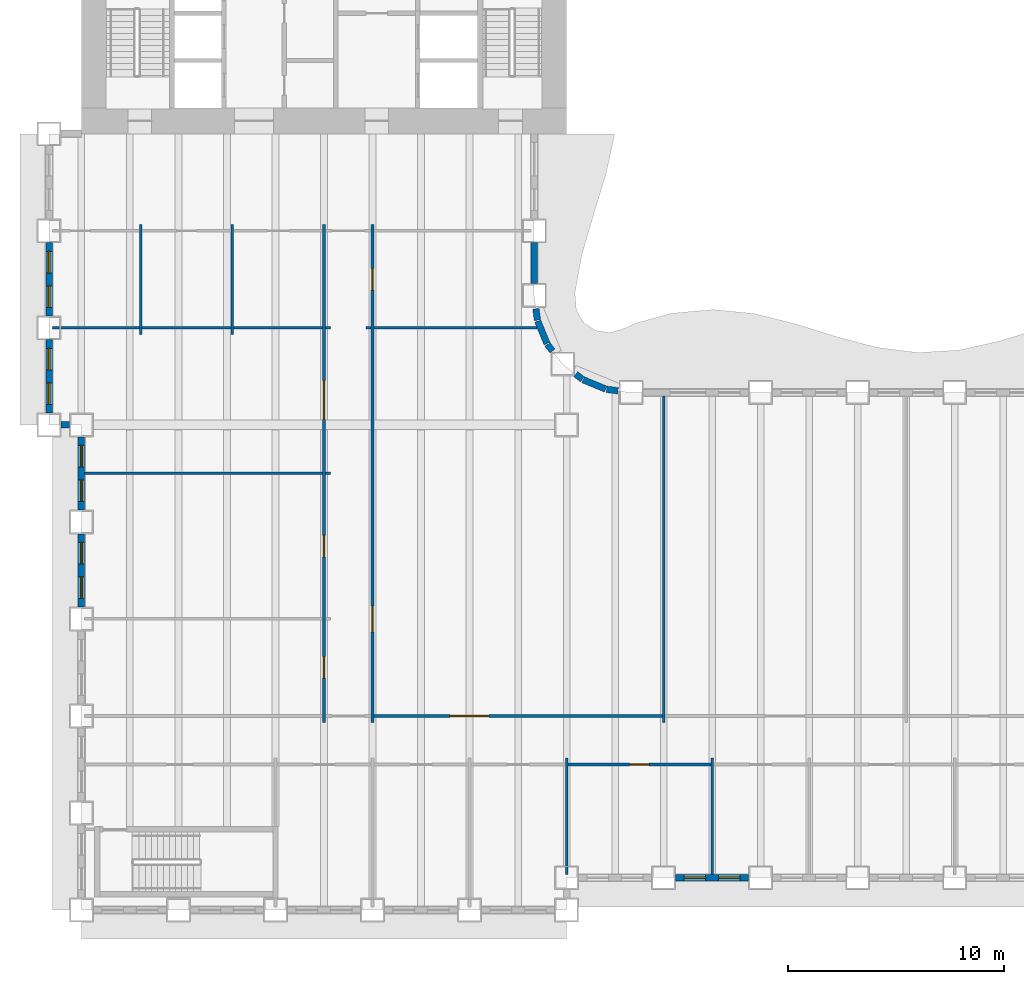
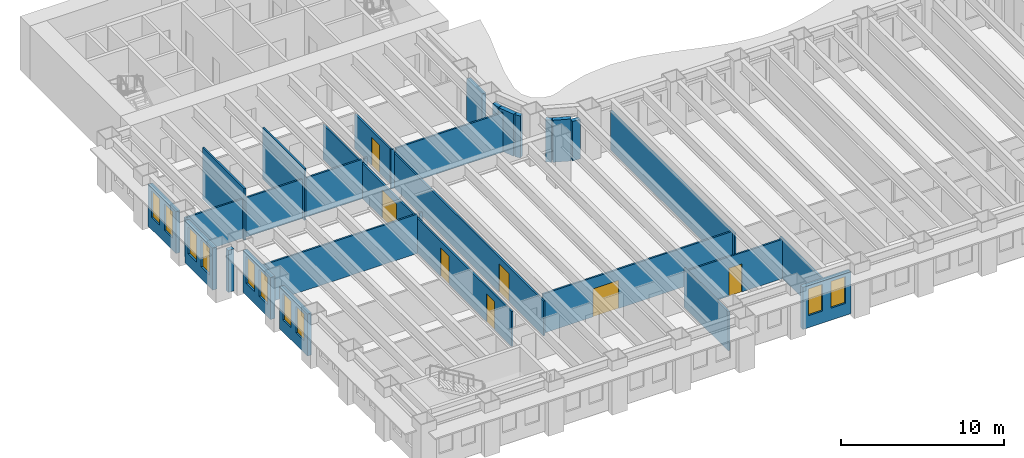
# One storey, part 4 of 17: 30 walls, 10 windows, 7 doors, 17 openings.
"""IFC4 building model written with IfcOpenShell, lengths in metres."""

from ifc_helpers import new_model, si_unit, direction, frame, frame_2d, origin, place, context, subcontext, project, spatial, rectangle, extrude, material, layer, layer_set, type_object, element, fill, save


model = new_model("IFC4")

# Units and contexts
model_context = context("Model", 3, precision=1e-05, world=origin(), true_north=direction((0.0, 1.0)))
body_context = subcontext(model_context, "Body", "Model", "MODEL_VIEW")
ifc_project = project(units=[si_unit("LENGTHUNIT", "METRE"), si_unit("AREAUNIT", "SQUARE_METRE"), si_unit("VOLUMEUNIT", "CUBIC_METRE"), si_unit("PLANEANGLEUNIT", "RADIAN"), si_unit("MASSUNIT", "GRAM", prefix="KILO")], contexts=[model_context])

# Site, building, storey
site_placement = place(None, origin())
site = spatial("IfcSite", under=ifc_project, at=site_placement, CompositionType="ELEMENT")
building_placement = place(site_placement, origin())
building = spatial("IfcBuilding", under=site, at=building_placement, Name="Sennacour Bend Tower", CompositionType="ELEMENT")
storey_placement = place(building_placement, frame((0.0, 0.0, 49.0)))
storey = spatial("IfcBuildingStorey", under=building, at=storey_placement, Name="L10", CompositionType="ELEMENT", Elevation=49.0)

# Walls
ifc_material_1 = material(Name="Plasterboard partition on steel studs", Category="steel")
ifc_layer_1 = layer(ifc_material_1, 0.1201171875, Name="Plasterboard partition on steel studs", Category="steel")
ifc_layer_set_1 = layer_set([ifc_layer_1], Name="Plasterboard partition on steel studs")
wall_type_1 = type_object("IfcWallType", Name="Partition 120", PredefinedType="PARTITIONING", material=ifc_layer_set_1)
for number, where, z_axis, x_axis, name in (
    (1, (2.75, 26.699951171875, 0.0), (0.0, 0.0, 1.0), (0.0, 1.0, 0.0), "P-L10-W005a"),
    (2, (7.0, 26.699951171875, 0.0), (0.0, 0.0, 1.0), (0.0, 1.0, 0.0), "P-L10-W009a"),
):
    element("IfcWall", number, at=place(storey_placement, frame(where, z_axis=z_axis, x_axis=x_axis)), inside=storey, type_object=wall_type_1, Name=name, PredefinedType="PARTITIONING", context=body_context, shape_type="SweptSolid", body=[
        extrude(rectangle(XDim=5.10009765625, YDim=0.1201171875, at=frame_2d((2.550048828125, 0.0))), origin(), (0.0, 0.0, 1.0), 3.85009765625),
    ])

# Wall, openings, doors
wall_1_placement = place(storey_placement, frame((11.25, 8.699951171875, 0.0), z_axis=(0.0, 0.0, 1.0), x_axis=(0.0, 1.0, 0.0)))
wall_1 = element("IfcWall", 3, at=wall_1_placement, inside=storey, type_object=wall_type_1, Name="P-L10-W014a", PredefinedType="PARTITIONING", context=body_context, shape_type="SweptSolid", body=[
    extrude(rectangle(XDim=23.10009765625, YDim=0.1201171875, at=frame_2d((11.550048828125, 0.0))), origin(), (0.0, 0.0, 1.0), 2.60009765625),
])
opening_1_placement = place(wall_1_placement, frame((2.050048828125, 0.0, 0.0)))
opening_1 = element("IfcOpeningElement", 4, at=opening_1_placement, cuts=wall_1, Name="Opening OD2", PredefinedType="OPENING", context=body_context, shape_type="SweptSolid", body=[
    extrude(rectangle(XDim=1.0, YDim=2.10009765625, at=frame_2d((0.5, 1.050048828125))), frame((0.0, 0.070068359375, 0.0), z_axis=(0.0, -1.0, 0.0), x_axis=(1.0, 0.0, 0.0)), (0.0, 0.0, 1.0), 0.14013671875),
])
opening_2_placement = place(wall_1_placement, frame((7.675048828125, 0.0, 0.0)))
opening_2 = element("IfcOpeningElement", 5, at=opening_2_placement, cuts=wall_1, Name="Opening OD2", PredefinedType="OPENING", context=body_context, shape_type="SweptSolid", body=[
    extrude(rectangle(XDim=1.0, YDim=2.10009765625, at=frame_2d((0.5, 1.050048828125))), frame((0.0, 0.070068359375, 0.0), z_axis=(0.0, -1.0, 0.0), x_axis=(1.0, 0.0, 0.0)), (0.0, 0.0, 1.0), 0.14013671875),
])
opening_3_placement = place(wall_1_placement, frame((14.054931640625, 0.0, 0.0)))
opening_3 = element("IfcOpeningElement", 6, at=opening_3_placement, cuts=wall_1, Name="Opening OD3", PredefinedType="OPENING", context=body_context, shape_type="SweptSolid", body=[
    extrude(rectangle(XDim=1.800048828125, YDim=2.10009765625, at=frame_2d((0.89990234375, 1.050048828125))), frame((0.0, 0.070068359375, 0.0), z_axis=(0.0, -1.0, 0.0), x_axis=(1.0, 0.0, 0.0)), (0.0, 0.0, 1.0), 0.14013671875),
])
ifc_material_2 = material(Name="Timber", Category="wood")
door_type_1 = type_object("IfcDoorType", Name="DR-OFFICE-1000", OperationType="NOTDEFINED", PredefinedType="DOOR", material=ifc_material_2)
door_1_placement = place(opening_1_placement, origin())
door_1 = element("IfcDoor", 7, at=door_1_placement, inside=storey, type_object=door_type_1, Name="Door", OperationType="SINGLE_SWING_LEFT", OverallHeight=2.10009765625, OverallWidth=1.0, PredefinedType="DOOR", context=body_context, shape_type="SweptSolid", body=[
    extrude(rectangle(XDim=1.0, YDim=2.10009765625, at=frame_2d((0.5, 1.050048828125))), frame((0.0, 0.02490234375, 0.0), z_axis=(0.0, -1.0, 0.0), x_axis=(1.0, 0.0, 0.0)), (0.0, 0.0, 1.0), 0.050048828125),
])
fill(opening_1, door_1)
door_2_placement = place(opening_2_placement, origin())
door_2 = element("IfcDoor", 8, at=door_2_placement, inside=storey, type_object=door_type_1, Name="Door", OperationType="SINGLE_SWING_LEFT", OverallHeight=2.10009765625, OverallWidth=1.0, PredefinedType="DOOR", context=body_context, shape_type="SweptSolid", body=[
    extrude(rectangle(XDim=1.0, YDim=2.10009765625, at=frame_2d((0.5, 1.050048828125))), frame((0.0, 0.02490234375, 0.0), z_axis=(0.0, -1.0, 0.0), x_axis=(1.0, 0.0, 0.0)), (0.0, 0.0, 1.0), 0.050048828125),
])
fill(opening_2, door_2)
door_type_2 = type_object("IfcDoorType", Name="DR-OFFICE-1800", OperationType="NOTDEFINED", PredefinedType="DOOR", material=ifc_material_2)
door_3_placement = place(opening_3_placement, origin())
door_3 = element("IfcDoor", 9, at=door_3_placement, inside=storey, type_object=door_type_2, Name="Door", OperationType="DOUBLE_DOOR_SINGLE_SWING", OverallHeight=2.10009765625, OverallWidth=1.800048828125, PredefinedType="DOOR", context=body_context, shape_type="SweptSolid", body=[
    extrude(rectangle(XDim=1.800048828125, YDim=2.10009765625, at=frame_2d((0.89990234375, 1.050048828125))), frame((0.0, 0.02490234375, 0.0), z_axis=(0.0, -1.0, 0.0), x_axis=(1.0, 0.0, 0.0)), (0.0, 0.0, 1.0), 0.050048828125),
])
fill(opening_3, door_3)

wall_2_placement = place(storey_placement, frame((13.5, 8.699951171875, 0.0), z_axis=(0.0, 0.0, 1.0), x_axis=(0.0, 1.0, 0.0)))
wall_2 = element("IfcWall", 10, at=wall_2_placement, inside=storey, type_object=wall_type_1, Name="P-L10-W017a", PredefinedType="PARTITIONING", context=body_context, shape_type="SweptSolid", body=[
    extrude(rectangle(XDim=23.10009765625, YDim=0.1201171875, at=frame_2d((11.550048828125, 0.0))), origin(), (0.0, 0.0, 1.0), 2.60009765625),
])
opening_4_placement = place(wall_2_placement, frame((20.050048828125, 0.0, 0.0)))
opening_4 = element("IfcOpeningElement", 11, at=opening_4_placement, cuts=wall_2, Name="Opening OD2", PredefinedType="OPENING", context=body_context, shape_type="SweptSolid", body=[
    extrude(rectangle(XDim=1.0, YDim=2.10009765625, at=frame_2d((0.5, 1.050048828125))), frame((0.0, 0.070068359375, 0.0), z_axis=(0.0, -1.0, 0.0), x_axis=(1.0, 0.0, 0.0)), (0.0, 0.0, 1.0), 0.14013671875),
])
opening_5_placement = place(wall_2_placement, frame((4.199951171875, 0.0, 0.0)))
opening_5 = element("IfcOpeningElement", 12, at=opening_5_placement, cuts=wall_2, Name="Opening MD", PredefinedType="OPENING", context=body_context, shape_type="SweptSolid", body=[
    extrude(rectangle(XDim=1.199951171875, YDim=2.10009765625, at=frame_2d((0.60009765625, 1.050048828125))), frame((0.0, 0.070068359375, 0.0), z_axis=(0.0, -1.0, 0.0), x_axis=(1.0, 0.0, 0.0)), (0.0, 0.0, 1.0), 0.14013671875),
])
door_type_3 = type_object("IfcDoorType", Name="DR-MEETING-1200", OperationType="NOTDEFINED", PredefinedType="DOOR", material=ifc_material_2)
door_4_placement = place(opening_5_placement, origin())
door_4 = element("IfcDoor", 13, at=door_4_placement, inside=storey, type_object=door_type_3, Name="Door", OperationType="SINGLE_SWING_LEFT", OverallHeight=2.10009765625, OverallWidth=1.199951171875, PredefinedType="DOOR", context=body_context, shape_type="SweptSolid", body=[
    extrude(rectangle(XDim=1.199951171875, YDim=2.10009765625, at=frame_2d((0.60009765625, 1.050048828125))), frame((0.0, 0.02490234375, 0.0), z_axis=(0.0, -1.0, 0.0), x_axis=(1.0, 0.0, 0.0)), (0.0, 0.0, 1.0), 0.050048828125),
])
fill(opening_5, door_4)
door_5_placement = place(opening_4_placement, origin())
door_5 = element("IfcDoor", 14, at=door_5_placement, inside=storey, type_object=door_type_1, Name="Door", OperationType="SINGLE_SWING_RIGHT", OverallHeight=2.10009765625, OverallWidth=1.0, PredefinedType="DOOR", context=body_context, shape_type="SweptSolid", body=[
    extrude(rectangle(XDim=1.0, YDim=2.10009765625, at=frame_2d((0.5, 1.050048828125))), frame((0.0, 0.02490234375, 0.0), z_axis=(0.0, -1.0, 0.0), x_axis=(1.0, 0.0, 0.0)), (0.0, 0.0, 1.0), 0.050048828125),
])
fill(opening_4, door_5)

# Walls
wall_3_placement = place(storey_placement, frame((22.5, 1.64990234375, 0.0), z_axis=(0.0, 0.0, 1.0), x_axis=(0.0, 1.0, 0.0)))
element("IfcWall", 15, at=wall_3_placement, inside=storey, type_object=wall_type_1, Name="P-L10-W026a", PredefinedType="PARTITIONING", context=body_context, shape_type="SweptSolid", body=[
    extrude(rectangle(XDim=5.400146484375, YDim=0.1201171875, at=frame_2d((2.7001953125, 0.0))), origin(), (0.0, 0.0, 1.0), 2.93798828125),
])
wall_4_placement = place(storey_placement, frame((27.0, 8.699951171875, 0.0), z_axis=(0.0, 0.0, 1.0), x_axis=(0.0, 1.0, 0.0)))
element("IfcWall", 16, at=wall_4_placement, inside=storey, type_object=wall_type_1, Name="P-L10-W027a", PredefinedType="PARTITIONING", context=body_context, shape_type="SweptSolid", body=[
    extrude(rectangle(XDim=15.150146484375, YDim=0.1201171875, at=frame_2d((7.5751953125, 0.0))), origin(), (0.0, 0.0, 1.0), 2.93798828125),
])
wall_5_placement = place(storey_placement, frame((29.25, 1.64990234375, 0.0), z_axis=(0.0, 0.0, 1.0), x_axis=(0.0, 1.0, 0.0)))
element("IfcWall", 17, at=wall_5_placement, inside=storey, type_object=wall_type_1, Name="P-L10-W028a", PredefinedType="PARTITIONING", context=body_context, shape_type="SweptSolid", body=[
    extrude(rectangle(XDim=5.400146484375, YDim=0.1201171875, at=frame_2d((2.7001953125, 0.0))), origin(), (0.0, 0.0, 1.0), 2.93798828125),
])

# Wall, opening, door
wall_6_placement = place(storey_placement, frame((13.56005859375, 9.0, 0.0), z_axis=(0.0, 0.0, 1.0), x_axis=(1.0, 0.0, 0.0)))
wall_6 = element("IfcWall", 18, at=wall_6_placement, inside=storey, type_object=wall_type_1, Name="P-L10-W062ac", PredefinedType="PARTITIONING", context=body_context, shape_type="SweptSolid", body=[
    extrude(rectangle(XDim=13.3798828125, YDim=0.1201171875, at=frame_2d((6.68994140625, 0.0))), origin(), (0.0, 0.0, 1.0), 2.93798828125),
])
opening_6_placement = place(wall_6_placement, frame((3.539794921875, 0.0, 0.0)))
opening_6 = element("IfcOpeningElement", 19, at=opening_6_placement, cuts=wall_6, Name="Opening MD3", PredefinedType="OPENING", context=body_context, shape_type="SweptSolid", body=[
    extrude(rectangle(XDim=1.800048828125, YDim=2.10009765625, at=frame_2d((0.89990234375, 1.050048828125))), frame((0.0, 0.070068359375, 0.0), z_axis=(0.0, -1.0, 0.0), x_axis=(1.0, 0.0, 0.0)), (0.0, 0.0, 1.0), 0.14013671875),
])
door_type_4 = type_object("IfcDoorType", Name="DR-MEETING-1800", OperationType="NOTDEFINED", PredefinedType="DOOR", material=ifc_material_2)
door_6_placement = place(opening_6_placement, origin())
door_6 = element("IfcDoor", 20, at=door_6_placement, inside=storey, type_object=door_type_4, Name="Door", OperationType="DOUBLE_DOOR_SINGLE_SWING", OverallHeight=2.10009765625, OverallWidth=1.800048828125, PredefinedType="DOOR", context=body_context, shape_type="SweptSolid", body=[
    extrude(rectangle(XDim=1.800048828125, YDim=2.10009765625, at=frame_2d((0.89990234375, 1.050048828125))), frame((0.0, 0.02490234375, 0.0), z_axis=(0.0, -1.0, 0.0), x_axis=(1.0, 0.0, 0.0)), (0.0, 0.0, 1.0), 0.050048828125),
])
fill(opening_6, door_6)

# Walls
wall_7_placement = place(storey_placement, frame((0.14990234375, 20.25, 0.0), z_axis=(0.0, 0.0, 1.0), x_axis=(1.0, 0.0, 0.0)))
element("IfcWall", 21, at=wall_7_placement, inside=storey, type_object=wall_type_1, Name="P-L10-W072aa", PredefinedType="PARTITIONING", context=body_context, shape_type="SweptSolid", body=[
    extrude(rectangle(XDim=11.0400390625, YDim=0.1201171875, at=frame_2d((5.52001953125, 0.0))), origin(), (0.0, 0.0, 1.0), 2.93798828125),
])
wall_8_placement = place(storey_placement, frame((11.31005859375, 20.25, 0.0), z_axis=(0.0, 0.0, 1.0), x_axis=(1.0, 0.0, 0.0)))
element("IfcWall", 22, at=wall_8_placement, inside=storey, type_object=wall_type_1, Name="P-L10-W072ab", PredefinedType="PARTITIONING", context=body_context, shape_type="SweptSolid", body=[
    extrude(rectangle(XDim=0.239990234375, YDim=0.1201171875, at=frame_2d((0.1201171875, 0.0))), origin(), (0.0, 0.0, 1.0), 2.93798828125),
])
wall_9_placement = place(storey_placement, frame((-1.35009765625, 27.0, 0.0), z_axis=(0.0, 0.0, 1.0), x_axis=(1.0, 0.0, 0.0)))
element("IfcWall", 23, at=wall_9_placement, inside=storey, type_object=wall_type_1, Name="P-L10-W074aa", PredefinedType="PARTITIONING", context=body_context, shape_type="SweptSolid", body=[
    extrude(rectangle(XDim=4.0400390625, YDim=0.1201171875, at=frame_2d((2.02001953125, 0.0))), origin(), (0.0, 0.0, 1.0), 2.93798828125),
])
for number, where, z_axis, x_axis, name in (
    (24, (2.81005859375, 27.0, 0.0), (0.0, 0.0, 1.0), (1.0, 0.0, 0.0), "P-L10-W074ab"),
    (25, (7.06005859375, 27.0, 0.0), (0.0, 0.0, 1.0), (1.0, 0.0, 0.0), "P-L10-W074ac"),
):
    element("IfcWall", number, at=place(storey_placement, frame(where, z_axis=z_axis, x_axis=x_axis)), inside=storey, type_object=wall_type_1, Name=name, PredefinedType="PARTITIONING", context=body_context, shape_type="SweptSolid", body=[
        extrude(rectangle(XDim=4.1298828125, YDim=0.1201171875, at=frame_2d((2.06494140625, 0.0))), origin(), (0.0, 0.0, 1.0), 2.93798828125),
    ])
for number, where, z_axis, x_axis, name in (
    (26, (11.31005859375, 27.0, 0.0), (0.0, 0.0, 1.0), (1.0, 0.0, 0.0), "P-L10-W074ad"),
    (27, (13.199951171875, 27.0, 0.0), (0.0, 0.0, 1.0), (1.0, 0.0, 0.0), "P-L10-W075aa"),
):
    element("IfcWall", number, at=place(storey_placement, frame(where, z_axis=z_axis, x_axis=x_axis)), inside=storey, type_object=wall_type_1, Name=name, PredefinedType="PARTITIONING", context=body_context, shape_type="SweptSolid", body=[
        extrude(rectangle(XDim=0.239990234375, YDim=0.1201171875, at=frame_2d((0.1201171875, 0.0))), origin(), (0.0, 0.0, 1.0), 2.93798828125),
    ])
wall_10_placement = place(storey_placement, frame((13.56005859375, 27.0, 0.0), z_axis=(0.0, 0.0, 1.0), x_axis=(1.0, 0.0, 0.0)))
element("IfcWall", 28, at=wall_10_placement, inside=storey, type_object=wall_type_1, Name="P-L10-W075ab", PredefinedType="PARTITIONING", context=body_context, shape_type="SweptSolid", body=[
    extrude(rectangle(XDim=7.56982421875, YDim=0.1201171875, at=frame_2d((3.784912109375, 0.0))), origin(), (0.0, 0.0, 1.0), 2.93798828125),
])

# Wall, opening, door
ifc_layer_2 = layer(ifc_material_1, 0.1201171875, Name="Plasterboard partition on steel studs", Category="steel")
ifc_layer_set_2 = layer_set([ifc_layer_2], Name="Plasterboard partition on steel studs")
wall_type_2 = type_object("IfcWallType", Name="Partition 120 EI 60", PredefinedType="PARTITIONING", material=ifc_layer_set_2)
wall_11_placement = place(storey_placement, frame((22.56005859375, 6.75, 0.0), z_axis=(0.0, 0.0, 1.0), x_axis=(1.0, 0.0, 0.0)))
wall_11 = element("IfcWall", 29, at=wall_11_placement, inside=storey, type_object=wall_type_2, Name="P-L10-W061ae", PredefinedType="PARTITIONING", context=body_context, shape_type="SweptSolid", body=[
    extrude(rectangle(XDim=6.6298828125, YDim=0.1201171875, at=frame_2d((3.31494140625, 0.0))), origin(), (0.0, 0.0, 1.0), 2.93798828125),
])
opening_7_placement = place(wall_11_placement, frame((2.864990234375, 0.0, 0.0)))
opening_7 = element("IfcOpeningElement", 30, at=opening_7_placement, cuts=wall_11, Name="Opening SV", PredefinedType="OPENING", context=body_context, shape_type="SweptSolid", body=[
    extrude(rectangle(XDim=0.89990234375, YDim=2.10009765625, at=frame_2d((0.449951171875, 1.050048828125))), frame((0.0, 0.070068359375, 0.0), z_axis=(0.0, -1.0, 0.0), x_axis=(1.0, 0.0, 0.0)), (0.0, 0.0, 1.0), 0.14013671875),
])
ifc_material_3 = material(Name="Painted steel", Category="steel")
door_type_5 = type_object("IfcDoorType", Name="DR-SERVICE-900", OperationType="NOTDEFINED", PredefinedType="DOOR", material=ifc_material_3)
door_7_placement = place(opening_7_placement, origin())
door_7 = element("IfcDoor", 31, at=door_7_placement, inside=storey, type_object=door_type_5, Name="Door", OperationType="SINGLE_SWING_LEFT", OverallHeight=2.10009765625, OverallWidth=0.89990234375, PredefinedType="DOOR", context=body_context, shape_type="SweptSolid", body=[
    extrude(rectangle(XDim=0.89990234375, YDim=2.10009765625, at=frame_2d((0.449951171875, 1.050048828125))), frame((0.0, 0.02490234375, 0.0), z_axis=(0.0, -1.0, 0.0), x_axis=(1.0, 0.0, 0.0)), (0.0, 0.0, 1.0), 0.050048828125),
])
fill(opening_7, door_7)

# Wall, openings, windows
ifc_material_4 = material(Name="Warm limestone cladding", Category="masonry")
ifc_layer_3 = layer(ifc_material_4, 0.050048828125, Name="Warm limestone cladding", Category="masonry")
ifc_material_5 = material(Name="Precast concrete C40/50", Category="concrete")
ifc_layer_4 = layer(ifc_material_5, 0.25, Name="Precast concrete C40/50", Category="concrete")
ifc_layer_set_3 = layer_set([ifc_layer_3, ifc_layer_4], Name="Precast concrete C40/50 with limestone cladding")
wall_type_3 = type_object("IfcWallType", Name="STONE-CLAD PRECAST SPANDREL 300", PredefinedType="STANDARD", material=ifc_layer_set_3)
wall_12_placement = place(storey_placement, frame((27.550048828125, 1.5, 0.0), z_axis=(0.0, 0.0, 1.0), x_axis=(1.0, 0.0, 0.0)))
wall_12 = element("IfcWall", 32, at=wall_12_placement, inside=storey, type_object=wall_type_3, Name="Stone spandrel and pier wall L10 02.01", PredefinedType="STANDARD", context=body_context, shape_type="SweptSolid", body=[
    extrude(rectangle(XDim=3.39990234375, YDim=0.300048828125, at=frame_2d((1.699951171875, 0.0))), origin(), (0.0, 0.0, 1.0), 3.14404296875),
])
opening_8_placement = place(wall_12_placement, frame((0.39990234375, 0.0, 0.89990234375)))
opening_8 = element("IfcOpeningElement", 33, at=opening_8_placement, cuts=wall_12, Name="Opening W8", PredefinedType="OPENING", context=body_context, shape_type="SweptSolid", body=[
    extrude(rectangle(XDim=1.0, YDim=2.0, at=frame_2d((0.5, 1.0))), frame((0.0, 0.16015625, 0.0), z_axis=(0.0, -1.0, 0.0), x_axis=(1.0, 0.0, 0.0)), (0.0, 0.0, 1.0), 0.320068359375),
])
opening_9_placement = place(wall_12_placement, frame((2.0, 0.0, 0.89990234375)))
opening_9 = element("IfcOpeningElement", 34, at=opening_9_placement, cuts=wall_12, Name="Opening W8", PredefinedType="OPENING", context=body_context, shape_type="SweptSolid", body=[
    extrude(rectangle(XDim=1.0, YDim=2.0, at=frame_2d((0.5, 1.0))), frame((0.0, 0.16015625, 0.0), z_axis=(0.0, -1.0, 0.0), x_axis=(1.0, 0.0, 0.0)), (0.0, 0.0, 1.0), 0.320068359375),
])
ifc_material_6 = material(Name="Clear low-emissivity glass", Category="glass")
window_type = type_object("IfcWindowType", Name="WIN-RIBBON-1000x2000", PartitioningType="SINGLE_PANEL", PredefinedType="WINDOW", material=ifc_material_6)
window_1_placement = place(opening_8_placement, origin())
window_1 = element("IfcWindow", 35, at=window_1_placement, inside=storey, type_object=window_type, Name="Ribbon window L10 02.01.0", OverallHeight=2.0, OverallWidth=1.0, PartitioningType="SINGLE_PANEL", PredefinedType="WINDOW", context=body_context, shape_type="SweptSolid", body=[
    extrude(rectangle(XDim=1.0, YDim=2.0, at=frame_2d((0.5, 1.0))), frame((0.0, 0.030029296875, 0.0), z_axis=(0.0, -1.0, 0.0), x_axis=(1.0, 0.0, 0.0)), (0.0, 0.0, 1.0), 0.06005859375),
])
fill(opening_8, window_1)
window_2_placement = place(opening_9_placement, origin())
window_2 = element("IfcWindow", 36, at=window_2_placement, inside=storey, type_object=window_type, Name="Ribbon window L10 02.01.1", OverallHeight=2.0, OverallWidth=1.0, PartitioningType="SINGLE_PANEL", PredefinedType="WINDOW", context=body_context, shape_type="SweptSolid", body=[
    extrude(rectangle(XDim=1.0, YDim=2.0, at=frame_2d((0.5, 1.0))), frame((0.0, 0.030029296875, 0.0), z_axis=(0.0, -1.0, 0.0), x_axis=(1.0, 0.0, 0.0)), (0.0, 0.0, 1.0), 0.06005859375),
])
fill(opening_9, window_2)

# Walls
wall_13_placement = place(storey_placement, frame((24.88818359375, 24.08056640625, 0.0), z_axis=(0.0, 0.0, 1.0), x_axis=(-0.991417173479, 0.130736330569, 0.0)))
element("IfcWall", 37, at=wall_13_placement, inside=storey, type_object=wall_type_3, Name="Stone spandrel and pier wall L10 09.00", PredefinedType="STANDARD", context=body_context, shape_type="SweptSolid", body=[
    extrude(rectangle(XDim=0.537841796875, YDim=0.300048828125, at=frame_2d((0.26904296875, 0.0))), origin(), (0.0, 0.0, 1.0), 2.93798828125),
])
wall_14_placement = place(storey_placement, frame((24.317138671875, 24.160888671875, 0.0), z_axis=(0.0, 0.0, 1.0), x_axis=(-0.923914616768, 0.382598720491, 0.0)))
element("IfcWall", 38, at=wall_14_placement, inside=storey, type_object=wall_type_3, Name="Stone spandrel and pier wall L10 10.00", PredefinedType="STANDARD", context=body_context, shape_type="SweptSolid", body=[
    extrude(rectangle(XDim=1.13525390625, YDim=0.300048828125, at=frame_2d((0.567626953125, 0.0))), origin(), (0.0, 0.0, 1.0), 3.14404296875),
])
for number, where, z_axis, x_axis, name in (
    (39, (23.234375, 24.614990234375, 0.0), (0.0, 0.0, 1.0), (-0.79354495224, 0.60851163405, 0.0), "Stone spandrel and pier wall L10 11.00"),
    (40, (21.8486328125, 25.9296875, 0.0), (0.0, 0.0, 1.0), (-0.60851163405, 0.79354495224, 0.0), "Stone spandrel and pier wall L10 12.00"),
):
    element("IfcWall", number, at=place(storey_placement, frame(where, z_axis=z_axis, x_axis=x_axis)), inside=storey, type_object=wall_type_3, Name=name, PredefinedType="STANDARD", context=body_context, shape_type="SweptSolid", body=[
        extrude(rectangle(XDim=0.384033203125, YDim=0.300048828125, at=frame_2d((0.19189453125, 0.0))), origin(), (0.0, 0.0, 1.0), 3.14404296875),
    ])
wall_15_placement = place(storey_placement, frame((21.59521484375, 26.268310546875, 0.0), z_axis=(0.0, 0.0, 1.0), x_axis=(-0.382598720491, 0.923914616768, 0.0)))
element("IfcWall", 41, at=wall_15_placement, inside=storey, type_object=wall_type_3, Name="Stone spandrel and pier wall L10 13.00", PredefinedType="STANDARD", context=body_context, shape_type="SweptSolid", body=[
    extrude(rectangle(XDim=1.13525390625, YDim=0.300048828125, at=frame_2d((0.567626953125, 0.0))), origin(), (0.0, 0.0, 1.0), 3.14404296875),
])
wall_16_placement = place(storey_placement, frame((21.15087890625, 27.35498046875, 0.0), z_axis=(0.0, 0.0, 1.0), x_axis=(-0.130736330569, 0.991417173479, 0.0)))
element("IfcWall", 42, at=wall_16_placement, inside=storey, type_object=wall_type_3, Name="Stone spandrel and pier wall L10 14.00", PredefinedType="STANDARD", context=body_context, shape_type="SweptSolid", body=[
    extrude(rectangle(XDim=0.537841796875, YDim=0.300048828125, at=frame_2d((0.26904296875, 0.0))), origin(), (0.0, 0.0, 1.0), 3.14404296875),
])
wall_17_placement = place(storey_placement, frame((21.0, 29.050048828125, 0.0), z_axis=(0.0, 0.0, 1.0), x_axis=(0.0, 1.0, 0.0)))
element("IfcWall", 43, at=wall_17_placement, inside=storey, type_object=wall_type_3, Name="Stone spandrel and pier wall L10 15.00", PredefinedType="STANDARD", context=body_context, shape_type="SweptSolid", body=[
    extrude(rectangle(XDim=1.89990234375, YDim=0.300048828125, at=frame_2d((0.949951171875, 0.0))), origin(), (0.0, 0.0, 1.0), 3.14404296875),
])

# Wall, openings, windows
wall_18_placement = place(storey_placement, frame((-1.5, 30.949951171875, 0.0), z_axis=(0.0, 0.0, 1.0), x_axis=(0.0, -1.0, 0.0)))
wall_18 = element("IfcWall", 44, at=wall_18_placement, inside=storey, type_object=wall_type_3, Name="Stone spandrel and pier wall L10 21.01", PredefinedType="STANDARD", context=body_context, shape_type="SweptSolid", body=[
    extrude(rectangle(XDim=3.39990234375, YDim=0.300048828125, at=frame_2d((1.699951171875, 0.0))), origin(), (0.0, 0.0, 1.0), 3.14404296875),
])
opening_10_placement = place(wall_18_placement, frame((0.39990234375, 0.0, 0.89990234375)))
opening_10 = element("IfcOpeningElement", 45, at=opening_10_placement, cuts=wall_18, Name="Opening W8", PredefinedType="OPENING", context=body_context, shape_type="SweptSolid", body=[
    extrude(rectangle(XDim=1.0, YDim=2.0, at=frame_2d((0.5, 1.0))), frame((0.0, 0.16015625, 0.0), z_axis=(0.0, -1.0, 0.0), x_axis=(1.0, 0.0, 0.0)), (0.0, 0.0, 1.0), 0.320068359375),
])
opening_11_placement = place(wall_18_placement, frame((2.0, 0.0, 0.89990234375)))
opening_11 = element("IfcOpeningElement", 46, at=opening_11_placement, cuts=wall_18, Name="Opening W8", PredefinedType="OPENING", context=body_context, shape_type="SweptSolid", body=[
    extrude(rectangle(XDim=1.0, YDim=2.0, at=frame_2d((0.5, 1.0))), frame((0.0, 0.16015625, 0.0), z_axis=(0.0, -1.0, 0.0), x_axis=(1.0, 0.0, 0.0)), (0.0, 0.0, 1.0), 0.320068359375),
])
window_3_placement = place(opening_10_placement, origin())
window_3 = element("IfcWindow", 47, at=window_3_placement, inside=storey, type_object=window_type, Name="Ribbon window L10 21.01.0", OverallHeight=2.0, OverallWidth=1.0, PartitioningType="SINGLE_PANEL", PredefinedType="WINDOW", context=body_context, shape_type="SweptSolid", body=[
    extrude(rectangle(XDim=1.0, YDim=2.0, at=frame_2d((0.5, 1.0))), frame((0.0, 0.030029296875, 0.0), z_axis=(0.0, -1.0, 0.0), x_axis=(1.0, 0.0, 0.0)), (0.0, 0.0, 1.0), 0.06005859375),
])
fill(opening_10, window_3)
window_4_placement = place(opening_11_placement, origin())
window_4 = element("IfcWindow", 48, at=window_4_placement, inside=storey, type_object=window_type, Name="Ribbon window L10 21.01.1", OverallHeight=2.0, OverallWidth=1.0, PartitioningType="SINGLE_PANEL", PredefinedType="WINDOW", context=body_context, shape_type="SweptSolid", body=[
    extrude(rectangle(XDim=1.0, YDim=2.0, at=frame_2d((0.5, 1.0))), frame((0.0, 0.030029296875, 0.0), z_axis=(0.0, -1.0, 0.0), x_axis=(1.0, 0.0, 0.0)), (0.0, 0.0, 1.0), 0.06005859375),
])
fill(opening_11, window_4)

wall_19_placement = place(storey_placement, frame((-1.5, 26.449951171875, 0.0), z_axis=(0.0, 0.0, 1.0), x_axis=(0.0, -1.0, 0.0)))
wall_19 = element("IfcWall", 49, at=wall_19_placement, inside=storey, type_object=wall_type_3, Name="Stone spandrel and pier wall L10 21.02", PredefinedType="STANDARD", context=body_context, shape_type="SweptSolid", body=[
    extrude(rectangle(XDim=3.39990234375, YDim=0.300048828125, at=frame_2d((1.699951171875, 0.0))), origin(), (0.0, 0.0, 1.0), 3.14404296875),
])
opening_12_placement = place(wall_19_placement, frame((0.39990234375, 0.0, 0.89990234375)))
opening_12 = element("IfcOpeningElement", 50, at=opening_12_placement, cuts=wall_19, Name="Opening W8", PredefinedType="OPENING", context=body_context, shape_type="SweptSolid", body=[
    extrude(rectangle(XDim=1.0, YDim=2.0, at=frame_2d((0.5, 1.0))), frame((0.0, 0.16015625, 0.0), z_axis=(0.0, -1.0, 0.0), x_axis=(1.0, 0.0, 0.0)), (0.0, 0.0, 1.0), 0.320068359375),
])
opening_13_placement = place(wall_19_placement, frame((2.0, 0.0, 0.89990234375)))
opening_13 = element("IfcOpeningElement", 51, at=opening_13_placement, cuts=wall_19, Name="Opening W8", PredefinedType="OPENING", context=body_context, shape_type="SweptSolid", body=[
    extrude(rectangle(XDim=1.0, YDim=2.0, at=frame_2d((0.5, 1.0))), frame((0.0, 0.16015625, 0.0), z_axis=(0.0, -1.0, 0.0), x_axis=(1.0, 0.0, 0.0)), (0.0, 0.0, 1.0), 0.320068359375),
])
window_5_placement = place(opening_12_placement, origin())
window_5 = element("IfcWindow", 52, at=window_5_placement, inside=storey, type_object=window_type, Name="Ribbon window L10 21.02.0", OverallHeight=2.0, OverallWidth=1.0, PartitioningType="SINGLE_PANEL", PredefinedType="WINDOW", context=body_context, shape_type="SweptSolid", body=[
    extrude(rectangle(XDim=1.0, YDim=2.0, at=frame_2d((0.5, 1.0))), frame((0.0, 0.030029296875, 0.0), z_axis=(0.0, -1.0, 0.0), x_axis=(1.0, 0.0, 0.0)), (0.0, 0.0, 1.0), 0.06005859375),
])
fill(opening_12, window_5)
window_6_placement = place(opening_13_placement, origin())
window_6 = element("IfcWindow", 53, at=window_6_placement, inside=storey, type_object=window_type, Name="Ribbon window L10 21.02.1", OverallHeight=2.0, OverallWidth=1.0, PartitioningType="SINGLE_PANEL", PredefinedType="WINDOW", context=body_context, shape_type="SweptSolid", body=[
    extrude(rectangle(XDim=1.0, YDim=2.0, at=frame_2d((0.5, 1.0))), frame((0.0, 0.030029296875, 0.0), z_axis=(0.0, -1.0, 0.0), x_axis=(1.0, 0.0, 0.0)), (0.0, 0.0, 1.0), 0.06005859375),
])
fill(opening_13, window_6)

# Wall
wall_20_placement = place(storey_placement, frame((-0.949951171875, 22.5, 0.0), z_axis=(0.0, 0.0, 1.0), x_axis=(1.0, 0.0, 0.0)))
element("IfcWall", 54, at=wall_20_placement, inside=storey, type_object=wall_type_3, Name="Stone spandrel and pier wall L10 22.00", PredefinedType="STANDARD", context=body_context, shape_type="SweptSolid", body=[
    extrude(rectangle(XDim=0.39990234375, YDim=0.300048828125, at=frame_2d((0.199951171875, 0.0))), origin(), (0.0, 0.0, 1.0), 3.14404296875),
])

# Wall, openings, windows
wall_21_placement = place(storey_placement, frame((0.0, 21.949951171875, 0.0), z_axis=(0.0, 0.0, 1.0), x_axis=(0.0, -1.0, 0.0)))
wall_21 = element("IfcWall", 55, at=wall_21_placement, inside=storey, type_object=wall_type_3, Name="Stone spandrel and pier wall L10 23.00", PredefinedType="STANDARD", context=body_context, shape_type="SweptSolid", body=[
    extrude(rectangle(XDim=3.39990234375, YDim=0.300048828125, at=frame_2d((1.699951171875, 0.0))), origin(), (0.0, 0.0, 1.0), 3.14404296875),
])
opening_14_placement = place(wall_21_placement, frame((0.39990234375, 0.0, 0.89990234375)))
opening_14 = element("IfcOpeningElement", 56, at=opening_14_placement, cuts=wall_21, Name="Opening W8", PredefinedType="OPENING", context=body_context, shape_type="SweptSolid", body=[
    extrude(rectangle(XDim=1.0, YDim=2.0, at=frame_2d((0.5, 1.0))), frame((0.0, 0.16015625, 0.0), z_axis=(0.0, -1.0, 0.0), x_axis=(1.0, 0.0, 0.0)), (0.0, 0.0, 1.0), 0.320068359375),
])
opening_15_placement = place(wall_21_placement, frame((2.0, 0.0, 0.89990234375)))
opening_15 = element("IfcOpeningElement", 57, at=opening_15_placement, cuts=wall_21, Name="Opening W8", PredefinedType="OPENING", context=body_context, shape_type="SweptSolid", body=[
    extrude(rectangle(XDim=1.0, YDim=2.0, at=frame_2d((0.5, 1.0))), frame((0.0, 0.16015625, 0.0), z_axis=(0.0, -1.0, 0.0), x_axis=(1.0, 0.0, 0.0)), (0.0, 0.0, 1.0), 0.320068359375),
])
window_7_placement = place(opening_14_placement, origin())
window_7 = element("IfcWindow", 58, at=window_7_placement, inside=storey, type_object=window_type, Name="Ribbon window L10 23.00.0", OverallHeight=2.0, OverallWidth=1.0, PartitioningType="SINGLE_PANEL", PredefinedType="WINDOW", context=body_context, shape_type="SweptSolid", body=[
    extrude(rectangle(XDim=1.0, YDim=2.0, at=frame_2d((0.5, 1.0))), frame((0.0, 0.030029296875, 0.0), z_axis=(0.0, -1.0, 0.0), x_axis=(1.0, 0.0, 0.0)), (0.0, 0.0, 1.0), 0.06005859375),
])
fill(opening_14, window_7)
window_8_placement = place(opening_15_placement, origin())
window_8 = element("IfcWindow", 59, at=window_8_placement, inside=storey, type_object=window_type, Name="Ribbon window L10 23.00.1", OverallHeight=2.0, OverallWidth=1.0, PartitioningType="SINGLE_PANEL", PredefinedType="WINDOW", context=body_context, shape_type="SweptSolid", body=[
    extrude(rectangle(XDim=1.0, YDim=2.0, at=frame_2d((0.5, 1.0))), frame((0.0, 0.030029296875, 0.0), z_axis=(0.0, -1.0, 0.0), x_axis=(1.0, 0.0, 0.0)), (0.0, 0.0, 1.0), 0.06005859375),
])
fill(opening_15, window_8)

wall_22_placement = place(storey_placement, frame((0.0, 17.449951171875, 0.0), z_axis=(0.0, 0.0, 1.0), x_axis=(0.0, -1.0, 0.0)))
wall_22 = element("IfcWall", 60, at=wall_22_placement, inside=storey, type_object=wall_type_3, Name="Stone spandrel and pier wall L10 23.01", PredefinedType="STANDARD", context=body_context, shape_type="SweptSolid", body=[
    extrude(rectangle(XDim=3.39990234375, YDim=0.300048828125, at=frame_2d((1.699951171875, 0.0))), origin(), (0.0, 0.0, 1.0), 3.14404296875),
])
opening_16_placement = place(wall_22_placement, frame((0.39990234375, 0.0, 0.89990234375)))
opening_16 = element("IfcOpeningElement", 61, at=opening_16_placement, cuts=wall_22, Name="Opening W8", PredefinedType="OPENING", context=body_context, shape_type="SweptSolid", body=[
    extrude(rectangle(XDim=1.0, YDim=2.0, at=frame_2d((0.5, 1.0))), frame((0.0, 0.16015625, 0.0), z_axis=(0.0, -1.0, 0.0), x_axis=(1.0, 0.0, 0.0)), (0.0, 0.0, 1.0), 0.320068359375),
])
opening_17_placement = place(wall_22_placement, frame((2.0, 0.0, 0.89990234375)))
opening_17 = element("IfcOpeningElement", 62, at=opening_17_placement, cuts=wall_22, Name="Opening W8", PredefinedType="OPENING", context=body_context, shape_type="SweptSolid", body=[
    extrude(rectangle(XDim=1.0, YDim=2.0, at=frame_2d((0.5, 1.0))), frame((0.0, 0.16015625, 0.0), z_axis=(0.0, -1.0, 0.0), x_axis=(1.0, 0.0, 0.0)), (0.0, 0.0, 1.0), 0.320068359375),
])
window_9_placement = place(opening_16_placement, origin())
window_9 = element("IfcWindow", 63, at=window_9_placement, inside=storey, type_object=window_type, Name="Ribbon window L10 23.01.0", OverallHeight=2.0, OverallWidth=1.0, PartitioningType="SINGLE_PANEL", PredefinedType="WINDOW", context=body_context, shape_type="SweptSolid", body=[
    extrude(rectangle(XDim=1.0, YDim=2.0, at=frame_2d((0.5, 1.0))), frame((0.0, 0.030029296875, 0.0), z_axis=(0.0, -1.0, 0.0), x_axis=(1.0, 0.0, 0.0)), (0.0, 0.0, 1.0), 0.06005859375),
])
fill(opening_16, window_9)
window_10_placement = place(opening_17_placement, origin())
window_10 = element("IfcWindow", 64, at=window_10_placement, inside=storey, type_object=window_type, Name="Ribbon window L10 23.01.1", OverallHeight=2.0, OverallWidth=1.0, PartitioningType="SINGLE_PANEL", PredefinedType="WINDOW", context=body_context, shape_type="SweptSolid", body=[
    extrude(rectangle(XDim=1.0, YDim=2.0, at=frame_2d((0.5, 1.0))), frame((0.0, 0.030029296875, 0.0), z_axis=(0.0, -1.0, 0.0), x_axis=(1.0, 0.0, 0.0)), (0.0, 0.0, 1.0), 0.06005859375),
])
fill(opening_17, window_10)

save(model, "model.ifc")
